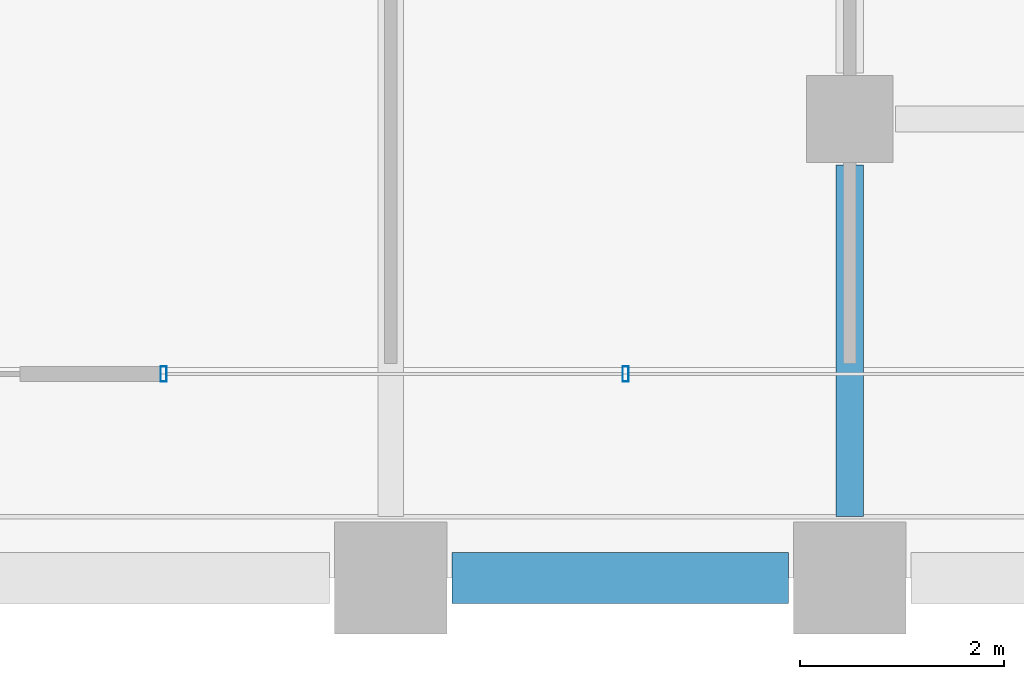
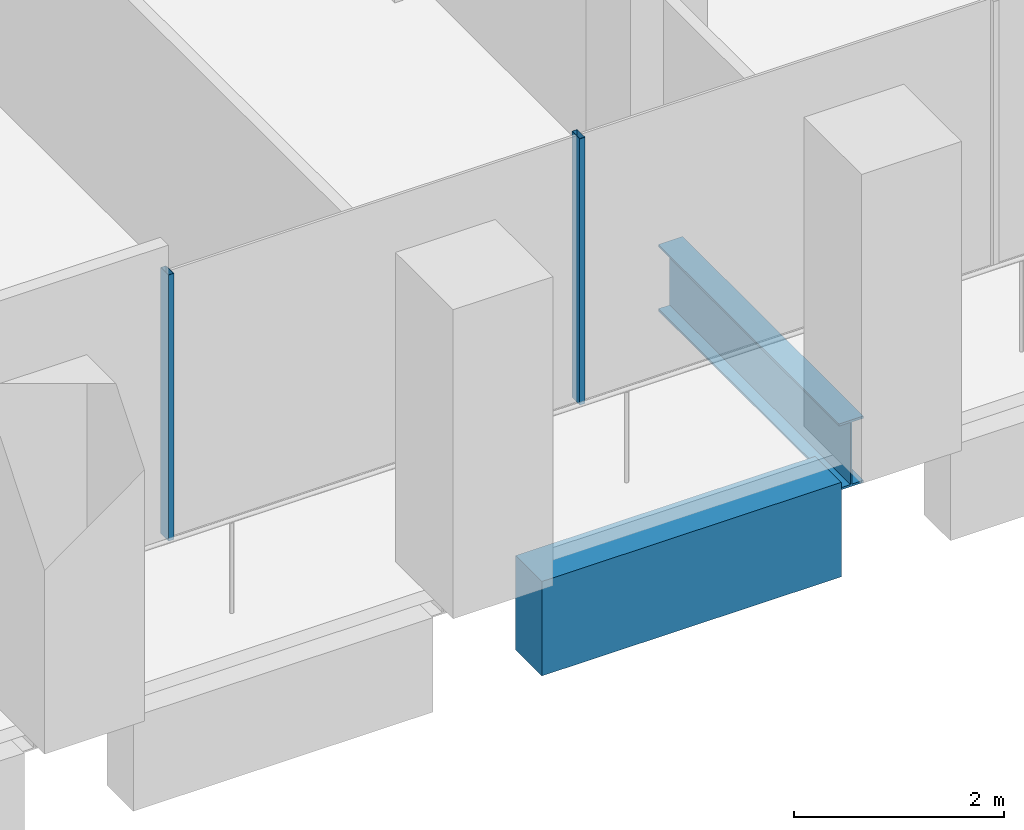
# One storey, part 9 of 55: 2 beams, 2 members, 1 element without a shape of its own.
"""IFC4 building model written with IfcOpenShell, lengths in metres."""

from ifc_helpers import new_model, si_unit, direction, frame, origin, origin_2d, place, context, subcontext, project, spatial, rectangle, hollow_rectangle, i_section, extrude, material, material_profile, profile_set, type_object, element, aggregate, save


model = new_model("IFC4")

# Units and contexts
model_context = context("Model", 3, precision=1e-05, world=origin(), true_north=direction((0.0, 1.0)))
body_context = subcontext(model_context, "Body", "Model", "MODEL_VIEW")
ifc_project = project(units=[si_unit("LENGTHUNIT", "METRE"), si_unit("AREAUNIT", "SQUARE_METRE"), si_unit("VOLUMEUNIT", "CUBIC_METRE"), si_unit("PLANEANGLEUNIT", "RADIAN"), si_unit("MASSUNIT", "GRAM", prefix="KILO")], contexts=[model_context])

# Site, building, storey
site_placement = place(None, origin())
site = spatial("IfcSite", under=ifc_project, at=site_placement, CompositionType="ELEMENT")
building_placement = place(site_placement, origin())
building = spatial("IfcBuilding", under=site, at=building_placement, Name="Altepetl Exchange Towers", CompositionType="ELEMENT")
storey_placement = place(building_placement, frame((0.0, 0.0, 47.39990234375)))
storey = spatial("IfcBuildingStorey", under=building, at=storey_placement, Name="L10", CompositionType="ELEMENT", Elevation=47.39990234375)

# Beam
ifc_material_1 = material(Name="Steel S355", Category="steel")
ifc_material_profile_1 = material_profile(ifc_material_1, i_section(OverallWidth=0.26806640625, OverallDepth=0.77392578125, WebThickness=0.015380859375, FlangeThickness=0.025390625, at=origin_2d()), Name="W30X132")
ifc_profile_set_1 = profile_set([ifc_material_profile_1], Name="Steel S355")
beam_type_1 = type_object("IfcBeamType", Name="Girder W30X132", PredefinedType="BEAM", material=ifc_profile_set_1)
beam_1_placement = place(storey_placement, frame((58.5, 31.050048828125, -0.536865234375), z_axis=(0.0, -1.0, 0.0), x_axis=(1.0, 0.0, 0.0)))
element("IfcBeam", 1, at=beam_1_placement, inside=storey, type_object=beam_type_1, Name="gd:A:L10:008", PredefinedType="BEAM", context=body_context, shape_type="SweptSolid", body=[
    extrude(i_section(OverallWidth=0.26806640625, OverallDepth=0.77392578125, WebThickness=0.015380859375, FlangeThickness=0.025390625, at=origin_2d()), origin(), (0.0, 0.0, 1.0), 3.449951171875),
])

# Curtain wall, members
ifc_material_2 = material(Name="Aluminium 6063-T6 glazing", Category="aluminium")
curtain_wall_type = type_object("IfcCurtainWallType", Name="Loggia glazing system", PredefinedType="NOTDEFINED", material=ifc_material_2)
curtain_wall_placement = place(storey_placement, origin())
curtain_wall = element("IfcCurtainWall", 2, at=curtain_wall_placement, inside=storey, type_object=curtain_wall_type, Name="CW1 run", PredefinedType="NOTDEFINED")
ifc_material_3 = material(Name="Aluminium 6063-T6", Category="aluminium")
ifc_material_profile_2 = material_profile(ifc_material_3, hollow_rectangle(XDim=0.06005859375, YDim=0.14990234375, WallThickness=0.0029296875, at=origin_2d()), Name="Mullion 60x150 aluminium")
ifc_profile_set_2 = profile_set([ifc_material_profile_2], Name="Aluminium 6063-T6")
member_type = type_object("IfcMemberType", Name="Mullion 60x150 aluminium", PredefinedType="MULLION", material=ifc_profile_set_2)
member_1_placement = place(storey_placement, frame((51.77294921875, 29.0, 0.0)))
member_1 = element("IfcMember", 3, at=member_1_placement, type_object=member_type, Name="MU1 mullion", PredefinedType="MULLION", context=body_context, shape_type="SweptSolid", body=[
    extrude(hollow_rectangle(XDim=0.06005859375, YDim=0.14990234375, WallThickness=0.0029296875, at=origin_2d()), origin(), (0.0, 0.0, 1.0), 3.10009765625),
])
member_2_placement = place(storey_placement, frame((56.303466796875, 29.0, 0.0)))
member_2 = element("IfcMember", 4, at=member_2_placement, type_object=member_type, Name="MU1 mullion", PredefinedType="MULLION", context=body_context, shape_type="SweptSolid", body=[
    extrude(hollow_rectangle(XDim=0.06005859375, YDim=0.14990234375, WallThickness=0.0029296875, at=origin_2d()), origin(), (0.0, 0.0, 1.0), 3.10009765625),
])
aggregate(curtain_wall, [member_1, member_2])

# Beam
ifc_material_4 = material(Name="Concrete C50/60 precast with cantera blanca facing", Category="concrete")
ifc_material_profile_3 = material_profile(ifc_material_4, rectangle(XDim=0.5, YDim=1.10009765625, at=origin_2d()), Name="500 x 1100")
ifc_profile_set_3 = profile_set([ifc_material_profile_3], Name="Concrete C50/60 precast with cantera blanca facing")
beam_type_2 = type_object("IfcBeamType", Name="Spandrel beam 500x1100 cantera blanca", PredefinedType="SPANDREL", material=ifc_profile_set_3)
beam_2_placement = place(storey_placement, frame((54.60009765625, 27.0, -0.699951171875), z_axis=(1.0, 0.0, 0.0), x_axis=(0.0, 1.0, 0.0)))
element("IfcBeam", 5, at=beam_2_placement, inside=storey, type_object=beam_type_2, Name="sp:A:L10:005", PredefinedType="SPANDREL", context=body_context, shape_type="SweptSolid", body=[
    extrude(rectangle(XDim=0.5, YDim=1.10009765625, at=origin_2d()), origin(), (0.0, 0.0, 1.0), 3.2998046875),
])

save(model, "model.ifc")
